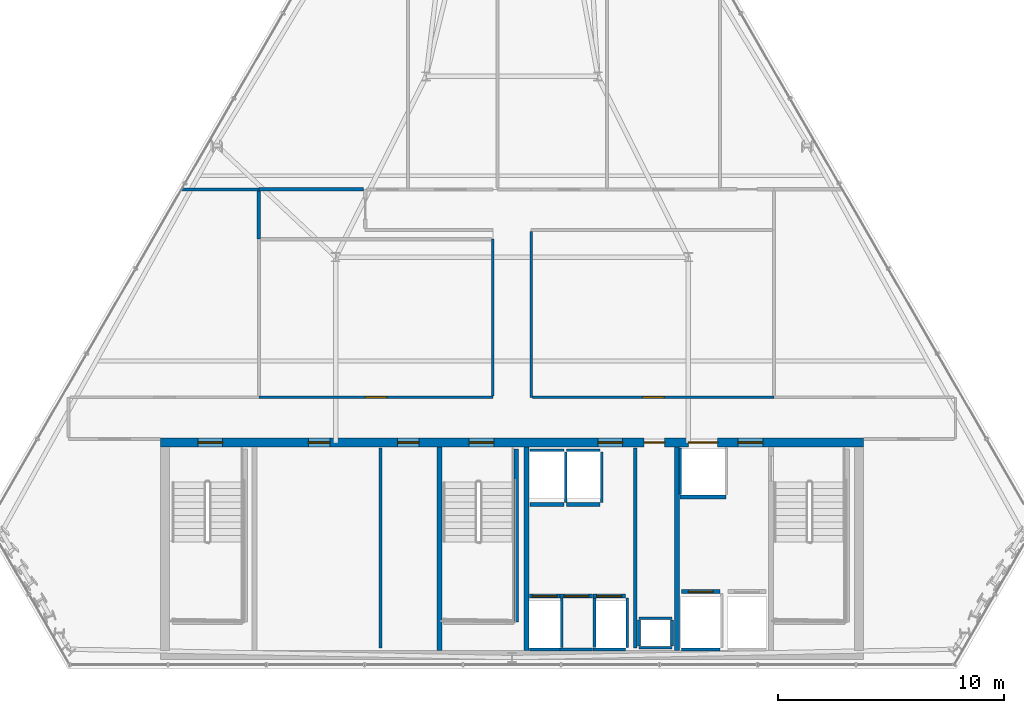
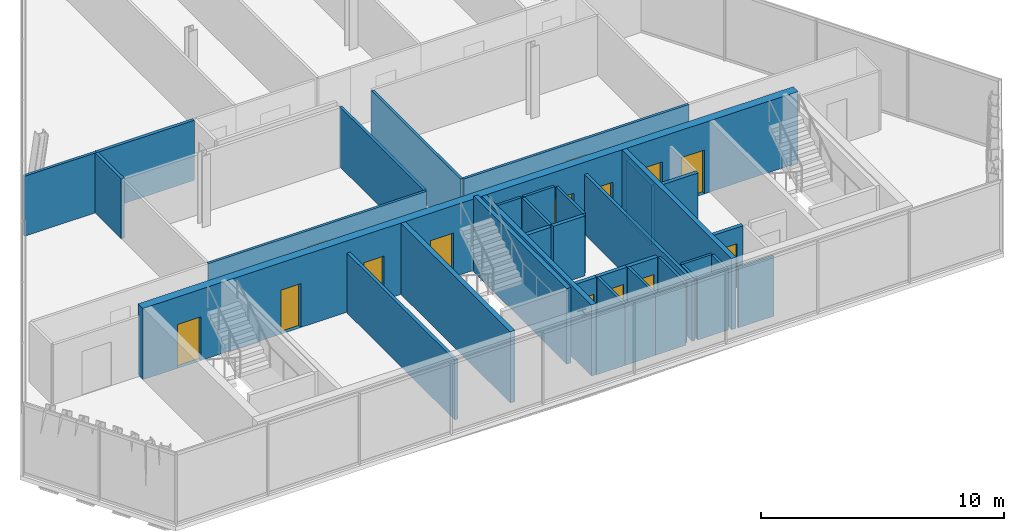
# One storey, part 24 of 29: 37 walls, 14 doors, 14 openings.
"""IFC4 building model written with IfcOpenShell, lengths in metres."""

from ifc_helpers import new_model, si_unit, direction, frame, frame_2d, origin, place, context, subcontext, project, spatial, rectangle, extrude, material, layer, layer_set, type_object, element, fill, save


model = new_model("IFC4")

# Units and contexts
model_context = context("Model", 3, precision=1e-05, world=origin(), true_north=direction((0.0, 1.0)))
body_context = subcontext(model_context, "Body", "Model", "MODEL_VIEW")
ifc_project = project(units=[si_unit("LENGTHUNIT", "METRE"), si_unit("AREAUNIT", "SQUARE_METRE"), si_unit("VOLUMEUNIT", "CUBIC_METRE"), si_unit("PLANEANGLEUNIT", "RADIAN"), si_unit("MASSUNIT", "GRAM", prefix="KILO")], contexts=[model_context])

# Site, building, storey
site_placement = place(None, origin())
site = spatial("IfcSite", under=ifc_project, at=site_placement, CompositionType="ELEMENT")
building_placement = place(site_placement, origin())
building = spatial("IfcBuilding", under=site, at=building_placement, Name="Ndaravel Arena Tower", CompositionType="ELEMENT")
storey_placement = place(building_placement, frame((0.0, 0.0, 237.0)))
storey = spatial("IfcBuildingStorey", under=building, at=storey_placement, Name="L57", CompositionType="ELEMENT", Elevation=237.0)

# Walls
ifc_material_1 = material(Name="Gypsum", Category="gypsum")
ifc_layer_1 = layer(ifc_material_1, 0.14990234375)
ifc_layer_set_1 = layer_set([ifc_layer_1], Name="Gypsum")
wall_type_1 = type_object("IfcWallType", Name="WALL-COMP-150", PredefinedType="PARTITIONING", material=ifc_layer_set_1)
for number, where, z_axis, x_axis, name in (
    (1, (47.449951171875, 5.89990234375, 0.0), (0.0, 0.0, 1.0), (0.0, 1.0, 0.0), "L57 Core Riser Bay Partition"),
    (2, (36.179931640625, 5.89990234375, 0.0), (0.0, 0.0, 1.0), (0.0, 1.0, 0.0), "L57 High-Zone Core Divider 1"),
):
    element("IfcWall", number, at=place(storey_placement, frame(where, z_axis=z_axis, x_axis=x_axis)), inside=storey, type_object=wall_type_1, Name=name, PredefinedType="PARTITIONING", context=body_context, shape_type="SweptSolid", body=[
        extrude(rectangle(XDim=8.85009765625, YDim=0.14990234375, at=frame_2d((4.425048828125, 0.0))), origin(), (0.0, 0.0, 1.0), 3.010498046875),
    ])
ifc_material_2 = material(Name="Concrete C50/60", Category="concrete")
ifc_layer_2 = layer(ifc_material_2, 0.219970703125)
ifc_layer_set_2 = layer_set([ifc_layer_2], Name="Concrete C50/60")
wall_type_2 = type_object("IfcWallType", Name="WALL-CORE-220", PredefinedType="SOLIDWALL", material=ifc_layer_set_2)
for number, where, z_axis, x_axis, name in (
    (3, (38.800048828125, 5.800048828125, 0.0), (0.0, 0.0, 1.0), (0.0, 1.0, 0.0), "L57 Core Web Shear Wall 2"),
    (4, (42.64990234375, 5.800048828125, 0.0), (0.0, 0.0, 1.0), (0.0, 1.0, 0.0), "L57 Core Web Shear Wall 3"),
    (5, (49.300048828125, 5.800048828125, 0.0), (0.0, 0.0, 1.0), (0.0, 1.0, 0.0), "L57 Core Web Shear Wall 4"),
):
    element("IfcWall", number, at=place(storey_placement, frame(where, z_axis=z_axis, x_axis=x_axis)), inside=storey, type_object=wall_type_2, Name=name, PredefinedType="SOLIDWALL", context=body_context, shape_type="SweptSolid", body=[
        extrude(rectangle(XDim=9.0, YDim=0.219970703125, at=frame_2d((4.5, 0.0))), origin(), (0.0, 0.0, 1.0), 3.580078125),
    ])

# Wall, openings, doors
ifc_material_3 = material(Name="Concrete C50/60", Category="concrete")
ifc_layer_3 = layer(ifc_material_3, 0.39990234375)
ifc_layer_set_3 = layer_set([ifc_layer_3], Name="Concrete C50/60")
wall_type_3 = type_object("IfcWallType", Name="WALL-CORE-400", PredefinedType="SOLIDWALL", material=ifc_layer_set_3)
wall_1_placement = place(storey_placement, frame((26.449951171875, 15.0, 0.0), z_axis=(0.0, 0.0, 1.0), x_axis=(1.0, 0.0, 0.0)))
wall_1 = element("IfcWall", 6, at=wall_1_placement, inside=storey, type_object=wall_type_3, Name="L57 Core North Shear Wall", PredefinedType="SOLIDWALL", context=body_context, shape_type="SweptSolid", body=[
    extrude(rectangle(XDim=31.10009765625, YDim=0.39990234375, at=frame_2d((15.550048828125, 0.0))), origin(), (0.0, 0.0, 1.0), 3.580078125),
])
opening_1_placement = place(wall_1_placement, frame((1.64990234375, 0.0, 0.0)))
opening_1 = element("IfcOpeningElement", 7, at=opening_1_placement, cuts=wall_1, Name="Opening FD-01", PredefinedType="OPENING", context=body_context, shape_type="SweptSolid", body=[
    extrude(rectangle(XDim=1.10009765625, YDim=2.199951171875, at=frame_2d((0.550048828125, 1.10009765625))), frame((0.0, 0.199951171875, 0.0), z_axis=(0.0, -1.0, 0.0), x_axis=(1.0, 0.0, 0.0)), (0.0, 0.0, 1.0), 0.39990234375),
])
opening_2_placement = place(wall_1_placement, frame((13.64990234375, 0.0, 0.0)))
opening_2 = element("IfcOpeningElement", 8, at=opening_2_placement, cuts=wall_1, Name="Opening FD-01", PredefinedType="OPENING", context=body_context, shape_type="SweptSolid", body=[
    extrude(rectangle(XDim=1.10009765625, YDim=2.199951171875, at=frame_2d((0.550048828125, 1.10009765625))), frame((0.0, 0.199951171875, 0.0), z_axis=(0.0, -1.0, 0.0), x_axis=(1.0, 0.0, 0.0)), (0.0, 0.0, 1.0), 0.39990234375),
])
opening_3_placement = place(wall_1_placement, frame((25.550048828125, 0.0, 0.0)))
opening_3 = element("IfcOpeningElement", 9, at=opening_3_placement, cuts=wall_1, Name="Opening FD-01", PredefinedType="OPENING", context=body_context, shape_type="SweptSolid", body=[
    extrude(rectangle(XDim=1.10009765625, YDim=2.199951171875, at=frame_2d((0.550048828125, 1.10009765625))), frame((0.0, 0.199951171875, 0.0), z_axis=(0.0, -1.0, 0.0), x_axis=(1.0, 0.0, 0.0)), (0.0, 0.0, 1.0), 0.39990234375),
])
opening_4_placement = place(wall_1_placement, frame((19.35009765625, 0.0, 0.0)))
opening_4 = element("IfcOpeningElement", 10, at=opening_4_placement, cuts=wall_1, Name="Opening FD-01", PredefinedType="OPENING", context=body_context, shape_type="SweptSolid", body=[
    extrude(rectangle(XDim=1.10009765625, YDim=2.199951171875, at=frame_2d((0.550048828125, 1.10009765625))), frame((0.0, 0.199951171875, 0.0), z_axis=(0.0, -1.0, 0.0), x_axis=(1.0, 0.0, 0.0)), (0.0, 0.0, 1.0), 0.39990234375),
])
opening_5_placement = place(wall_1_placement, frame((21.39990234375, 0.0, 0.0)))
opening_5 = element("IfcOpeningElement", 11, at=opening_5_placement, cuts=wall_1, Name="Opening RD-01", PredefinedType="OPENING", context=body_context, shape_type="SweptSolid", body=[
    extrude(rectangle(XDim=0.89990234375, YDim=2.10009765625, at=frame_2d((0.449951171875, 1.050048828125))), frame((0.0, 0.199951171875, 0.0), z_axis=(0.0, -1.0, 0.0), x_axis=(1.0, 0.0, 0.0)), (0.0, 0.0, 1.0), 0.39990234375),
])
opening_6_placement = place(wall_1_placement, frame((6.5400390625, 0.0, 0.0)))
opening_6 = element("IfcOpeningElement", 12, at=opening_6_placement, cuts=wall_1, Name="Opening FD-03", PredefinedType="OPENING", context=body_context, shape_type="SweptSolid", body=[
    extrude(rectangle(XDim=0.949951171875, YDim=2.199951171875, at=frame_2d((0.47509765625, 1.10009765625))), frame((0.0, 0.199951171875, 0.0), z_axis=(0.0, -1.0, 0.0), x_axis=(1.0, 0.0, 0.0)), (0.0, 0.0, 1.0), 0.39990234375),
])
opening_7_placement = place(wall_1_placement, frame((10.489990234375, 0.0, 0.0)))
opening_7 = element("IfcOpeningElement", 13, at=opening_7_placement, cuts=wall_1, Name="Opening FD-03", PredefinedType="OPENING", context=body_context, shape_type="SweptSolid", body=[
    extrude(rectangle(XDim=0.949951171875, YDim=2.199951171875, at=frame_2d((0.47509765625, 1.10009765625))), frame((0.0, 0.199951171875, 0.0), z_axis=(0.0, -1.0, 0.0), x_axis=(1.0, 0.0, 0.0)), (0.0, 0.0, 1.0), 0.39990234375),
])
opening_8_placement = place(wall_1_placement, frame((23.35009765625, 0.0, 0.0)))
opening_8 = element("IfcOpeningElement", 14, at=opening_8_placement, cuts=wall_1, Name="Opening LD-02", PredefinedType="OPENING", context=body_context, shape_type="SweptSolid", body=[
    extrude(rectangle(XDim=1.300048828125, YDim=2.300048828125, at=frame_2d((0.64990234375, 1.14990234375))), frame((0.0, 0.199951171875, 0.0), z_axis=(0.0, -1.0, 0.0), x_axis=(1.0, 0.0, 0.0)), (0.0, 0.0, 1.0), 0.39990234375),
])
ifc_material_4 = material(Name="Steel S355", Category="steel")
door_type_1 = type_object("IfcDoorType", Name="DT-01-STAIR-1100", OperationType="SINGLE_SWING_LEFT", PredefinedType="DOOR", material=ifc_material_4)
door_1_placement = place(opening_1_placement, origin())
door_1 = element("IfcDoor", 15, at=door_1_placement, inside=storey, type_object=door_type_1, Name="L57 Exit Stair ST-1 Door", OperationType="SINGLE_SWING_RIGHT", OverallHeight=2.199951171875, OverallWidth=1.10009765625, PredefinedType="DOOR", context=body_context, shape_type="SweptSolid", body=[
    extrude(rectangle(XDim=1.10009765625, YDim=2.199951171875, at=frame_2d((0.550048828125, 1.10009765625))), frame((0.0, 0.02490234375, 0.0), z_axis=(0.0, -1.0, 0.0), x_axis=(1.0, 0.0, 0.0)), (0.0, 0.0, 1.0), 0.050048828125),
])
fill(opening_1, door_1)
door_2_placement = place(opening_2_placement, origin())
door_2 = element("IfcDoor", 16, at=door_2_placement, inside=storey, type_object=door_type_1, Name="L57 Exit Stair ST-2 Door", OperationType="SINGLE_SWING_LEFT", OverallHeight=2.199951171875, OverallWidth=1.10009765625, PredefinedType="DOOR", context=body_context, shape_type="SweptSolid", body=[
    extrude(rectangle(XDim=1.10009765625, YDim=2.199951171875, at=frame_2d((0.550048828125, 1.10009765625))), frame((0.0, 0.02490234375, 0.0), z_axis=(0.0, -1.0, 0.0), x_axis=(1.0, 0.0, 0.0)), (0.0, 0.0, 1.0), 0.050048828125),
])
fill(opening_2, door_2)
door_3_placement = place(opening_3_placement, origin())
door_3 = element("IfcDoor", 17, at=door_3_placement, inside=storey, type_object=door_type_1, Name="L57 Firefighting Lift Lobby Door", OperationType="SINGLE_SWING_RIGHT", OverallHeight=2.199951171875, OverallWidth=1.10009765625, PredefinedType="DOOR", context=body_context, shape_type="SweptSolid", body=[
    extrude(rectangle(XDim=1.10009765625, YDim=2.199951171875, at=frame_2d((0.550048828125, 1.10009765625))), frame((0.0, 0.02490234375, 0.0), z_axis=(0.0, -1.0, 0.0), x_axis=(1.0, 0.0, 0.0)), (0.0, 0.0, 1.0), 0.050048828125),
])
fill(opening_3, door_3)
door_4_placement = place(opening_4_placement, origin())
door_4 = element("IfcDoor", 18, at=door_4_placement, inside=storey, type_object=door_type_1, Name="L57 Express Lift Lobby Entry Door", OperationType="SINGLE_SWING_LEFT", OverallHeight=2.199951171875, OverallWidth=1.10009765625, PredefinedType="DOOR", context=body_context, shape_type="SweptSolid", body=[
    extrude(rectangle(XDim=1.10009765625, YDim=2.199951171875, at=frame_2d((0.550048828125, 1.10009765625))), frame((0.0, 0.02490234375, 0.0), z_axis=(0.0, -1.0, 0.0), x_axis=(1.0, 0.0, 0.0)), (0.0, 0.0, 1.0), 0.050048828125),
])
fill(opening_4, door_4)
ifc_material_5 = material(Name="Steel S355", Category="steel")
door_type_2 = type_object("IfcDoorType", Name="DT-07-SVLIFT-1300", OperationType="DOUBLE_DOOR_SLIDING", PredefinedType="DOOR", material=ifc_material_5)
door_5_placement = place(opening_8_placement, origin())
door_5 = element("IfcDoor", 19, at=door_5_placement, inside=storey, type_object=door_type_2, Name="L57 Lift SVL-1 Sliding Landing Door", OperationType="DOUBLE_DOOR_SLIDING", OverallHeight=2.300048828125, OverallWidth=1.300048828125, PredefinedType="DOOR", context=body_context, shape_type="SweptSolid", body=[
    extrude(rectangle(XDim=1.300048828125, YDim=2.300048828125, at=frame_2d((0.64990234375, 1.14990234375))), frame((0.0, 0.02490234375, 0.0), z_axis=(0.0, -1.0, 0.0), x_axis=(1.0, 0.0, 0.0)), (0.0, 0.0, 1.0), 0.050048828125),
])
fill(opening_8, door_5)
ifc_material_6 = material(Name="Steel S355", Category="steel")
door_type_3 = type_object("IfcDoorType", Name="DT-08-RISER-900", OperationType="SINGLE_SWING_LEFT", PredefinedType="DOOR", material=ifc_material_6)
door_6_placement = place(opening_5_placement, origin())
door_6 = element("IfcDoor", 20, at=door_6_placement, inside=storey, type_object=door_type_3, Name="L57 Core Service Riser North Door", OperationType="SINGLE_SWING_LEFT", OverallHeight=2.10009765625, OverallWidth=0.89990234375, PredefinedType="DOOR", context=body_context, shape_type="SweptSolid", body=[
    extrude(rectangle(XDim=0.89990234375, YDim=2.10009765625, at=frame_2d((0.449951171875, 1.050048828125))), frame((0.0, 0.02490234375, 0.0), z_axis=(0.0, -1.0, 0.0), x_axis=(1.0, 0.0, 0.0)), (0.0, 0.0, 1.0), 0.050048828125),
])
fill(opening_5, door_6)
ifc_material_7 = material(Name="Steel S355", Category="steel")
door_type_4 = type_object("IfcDoorType", Name="DT-11-CORE-950", OperationType="SINGLE_SWING_LEFT", PredefinedType="DOOR", material=ifc_material_7)
door_7_placement = place(opening_6_placement, origin())
door_7 = element("IfcDoor", 21, at=door_7_placement, inside=storey, type_object=door_type_4, Name="L57 High-Zone Reclaimed Core Room 1 Door", OperationType="SINGLE_SWING_LEFT", OverallHeight=2.199951171875, OverallWidth=0.949951171875, PredefinedType="DOOR", context=body_context, shape_type="SweptSolid", body=[
    extrude(rectangle(XDim=0.949951171875, YDim=2.199951171875, at=frame_2d((0.47509765625, 1.10009765625))), frame((0.0, 0.02490234375, 0.0), z_axis=(0.0, -1.0, 0.0), x_axis=(1.0, 0.0, 0.0)), (0.0, 0.0, 1.0), 0.050048828125),
])
fill(opening_6, door_7)
door_8_placement = place(opening_7_placement, origin())
door_8 = element("IfcDoor", 22, at=door_8_placement, inside=storey, type_object=door_type_4, Name="L57 High-Zone Reclaimed Core Room 2 Door", OperationType="SINGLE_SWING_RIGHT", OverallHeight=2.199951171875, OverallWidth=0.949951171875, PredefinedType="DOOR", context=body_context, shape_type="SweptSolid", body=[
    extrude(rectangle(XDim=0.949951171875, YDim=2.199951171875, at=frame_2d((0.47509765625, 1.10009765625))), frame((0.0, 0.02490234375, 0.0), z_axis=(0.0, -1.0, 0.0), x_axis=(1.0, 0.0, 0.0)), (0.0, 0.0, 1.0), 0.050048828125),
])
fill(opening_7, door_8)

# Wall, opening, door
ifc_material_8 = material(Name="Gypsum", Category="gypsum")
ifc_layer_4 = layer(ifc_material_8, 0.125)
ifc_layer_set_4 = layer_set([ifc_layer_4], Name="Gypsum")
wall_type_4 = type_object("IfcWallType", Name="WALL-PART-125", PredefinedType="PARTITIONING", material=ifc_layer_set_4)
wall_2_placement = place(storey_placement, frame((30.800048828125, 17.0, 0.0), z_axis=(0.0, 0.0, 1.0), x_axis=(1.0, 0.0, 0.0)))
wall_2 = element("IfcWall", 23, at=wall_2_placement, inside=storey, type_object=wall_type_4, Name="L57 Interior Partition 006", PredefinedType="PARTITIONING", context=body_context, shape_type="SweptSolid", body=[
    extrude(rectangle(XDim=10.349853515625, YDim=0.125, at=frame_2d((5.1748046875, 0.0))), origin(), (0.0, 0.0, 1.0), 3.010498046875),
])
opening_9_placement = place(wall_2_placement, frame((4.699951171875, 0.0, 0.0)))
opening_9 = element("IfcOpeningElement", 24, at=opening_9_placement, cuts=wall_2, Name="Opening ID-01", PredefinedType="OPENING", context=body_context, shape_type="SweptSolid", body=[
    extrude(rectangle(XDim=0.949951171875, YDim=2.199951171875, at=frame_2d((0.47509765625, 1.10009765625))), frame((0.0, 0.0625, 0.0), z_axis=(0.0, -1.0, 0.0), x_axis=(1.0, 0.0, 0.0)), (0.0, 0.0, 1.0), 0.125),
])
ifc_material_9 = material(Name="Timber", Category="wood")
door_type_5 = type_object("IfcDoorType", Name="DT-03-OFFICE-950", OperationType="SINGLE_SWING_LEFT", PredefinedType="DOOR", material=ifc_material_9)
door_9_placement = place(opening_9_placement, origin())
door_9 = element("IfcDoor", 25, at=door_9_placement, inside=storey, type_object=door_type_5, Name="L57 Quiet Reading Library Door", OperationType="SINGLE_SWING_RIGHT", OverallHeight=2.199951171875, OverallWidth=0.949951171875, PredefinedType="DOOR", context=body_context, shape_type="SweptSolid", body=[
    extrude(rectangle(XDim=0.949951171875, YDim=2.199951171875, at=frame_2d((0.47509765625, 1.10009765625))), frame((0.0, 0.02490234375, 0.0), z_axis=(0.0, -1.0, 0.0), x_axis=(1.0, 0.0, 0.0)), (0.0, 0.0, 1.0), 0.050048828125),
])
fill(opening_9, door_9)

# Walls
wall_3_placement = place(storey_placement, frame((41.14990234375, 17.06494140625, 0.0), z_axis=(0.0, 0.0, 1.0), x_axis=(0.0, 1.0, 0.0)))
element("IfcWall", 26, at=wall_3_placement, inside=storey, type_object=wall_type_4, Name="L57 Interior Partition 007", PredefinedType="PARTITIONING", context=body_context, shape_type="SweptSolid", body=[
    extrude(rectangle(XDim=6.927001953125, YDim=0.125, at=frame_2d((3.46337890625, 0.0))), origin(), (0.0, 0.0, 1.0), 3.010498046875),
])
wall_4_placement = place(storey_placement, frame((42.85009765625, 24.3349609375, 0.0), z_axis=(0.0, 0.0, 1.0), x_axis=(0.0, -1.0, 0.0)))
element("IfcWall", 27, at=wall_4_placement, inside=storey, type_object=wall_type_4, Name="L57 Interior Partition 018", PredefinedType="PARTITIONING", context=body_context, shape_type="SweptSolid", body=[
    extrude(rectangle(XDim=7.3349609375, YDim=0.125, at=frame_2d((3.66748046875, 0.0))), origin(), (0.0, 0.0, 1.0), 3.010498046875),
])

# Wall, opening, door
wall_5_placement = place(storey_placement, frame((42.9150390625, 17.0, 0.0), z_axis=(0.0, 0.0, 1.0), x_axis=(1.0, 0.0, 0.0)))
wall_5 = element("IfcWall", 28, at=wall_5_placement, inside=storey, type_object=wall_type_4, Name="L57 Interior Partition 019", PredefinedType="PARTITIONING", context=body_context, shape_type="SweptSolid", body=[
    extrude(rectangle(XDim=10.68505859375, YDim=0.125, at=frame_2d((5.342529296875, 0.0))), origin(), (0.0, 0.0, 1.0), 3.010498046875),
])
opening_10_placement = place(wall_5_placement, frame((4.867431640625, 0.0, 0.0)))
opening_10 = element("IfcOpeningElement", 29, at=opening_10_placement, cuts=wall_5, Name="Opening ID-01", PredefinedType="OPENING", context=body_context, shape_type="SweptSolid", body=[
    extrude(rectangle(XDim=0.949951171875, YDim=2.199951171875, at=frame_2d((0.47509765625, 1.10009765625))), frame((0.0, 0.0625, 0.0), z_axis=(0.0, -1.0, 0.0), x_axis=(1.0, 0.0, 0.0)), (0.0, 0.0, 1.0), 0.125),
])
door_10_placement = place(opening_10_placement, origin())
door_10 = element("IfcDoor", 30, at=door_10_placement, inside=storey, type_object=door_type_5, Name="L57 Design Bookshop Boutique Door", OperationType="SINGLE_SWING_LEFT", OverallHeight=2.199951171875, OverallWidth=0.949951171875, PredefinedType="DOOR", context=body_context, shape_type="SweptSolid", body=[
    extrude(rectangle(XDim=0.949951171875, YDim=2.199951171875, at=frame_2d((0.47509765625, 1.10009765625))), frame((0.0, 0.02490234375, 0.0), z_axis=(0.0, -1.0, 0.0), x_axis=(1.0, 0.0, 0.0)), (0.0, 0.0, 1.0), 0.050048828125),
])
fill(opening_10, door_10)

# Walls
wall_6_placement = place(storey_placement, frame((27.37939453125, 26.199951171875, 0.0), z_axis=(0.0, 0.0, 1.0), x_axis=(1.0, 0.0, 0.0)))
element("IfcWall", 31, at=wall_6_placement, inside=storey, type_object=wall_type_4, Name="L57 Interior Partition 025", PredefinedType="PARTITIONING", context=body_context, shape_type="SweptSolid", body=[
    extrude(rectangle(XDim=3.420654296875, YDim=0.125, at=frame_2d((1.71044921875, 0.0))), origin(), (0.0, 0.0, 1.0), 3.010498046875),
])
ifc_material_10 = material(Name="Concrete C40/50", Category="concrete")
ifc_layer_5 = layer(ifc_material_10, 0.1201171875)
ifc_layer_set_5 = layer_set([ifc_layer_5], Name="Concrete C40/50")
wall_type_5 = type_object("IfcWallType", Name="WALL-SHAFT-120", PredefinedType="SOLIDWALL", material=ifc_layer_set_5)
for number, where, z_axis, x_axis, name in (
    (32, (47.6201171875, 5.919921875, 0.0), (0.0, 0.0, 1.0), (1.0, 0.0, 0.0), "L57 MEP Riser Shaft S Wall"),
    (33, (47.6201171875, 7.219970703125, 0.0), (0.0, 0.0, 1.0), (1.0, 0.0, 0.0), "L57 MEP Riser Shaft N Wall"),
):
    element("IfcWall", number, at=place(storey_placement, frame(where, z_axis=z_axis, x_axis=x_axis)), inside=storey, type_object=wall_type_5, Name=name, PredefinedType="SOLIDWALL", context=body_context, shape_type="SweptSolid", body=[
        extrude(rectangle(XDim=1.4599609375, YDim=0.1201171875, at=frame_2d((0.72998046875, 0.0))), origin(), (0.0, 0.0, 1.0), 3.010498046875),
    ])
for number, where, z_axis, x_axis, name in (
    (34, (47.6201171875, 6.0, 0.0), (0.0, 0.0, 1.0), (0.0, 1.0, 0.0), "L57 MEP Riser Shaft W Wall"),
    (35, (49.080078125, 6.0, 0.0), (0.0, 0.0, 1.0), (0.0, 1.0, 0.0), "L57 MEP Riser Shaft E Wall"),
):
    element("IfcWall", number, at=place(storey_placement, frame(where, z_axis=z_axis, x_axis=x_axis)), inside=storey, type_object=wall_type_5, Name=name, PredefinedType="SOLIDWALL", context=body_context, shape_type="SweptSolid", body=[
        extrude(rectangle(XDim=1.139892578125, YDim=0.1201171875, at=frame_2d((0.56982421875, 0.0))), origin(), (0.0, 0.0, 1.0), 3.010498046875),
    ])
wall_7_placement = place(storey_placement, frame((42.780029296875, 5.840087890625, 0.0), z_axis=(0.0, 0.0, 1.0), x_axis=(1.0, 0.0, 0.0)))
element("IfcWall", 36, at=wall_7_placement, inside=storey, type_object=wall_type_5, Name="L57 PL-H1 Shaft Rear Wall", PredefinedType="SOLIDWALL", context=body_context, shape_type="SweptSolid", body=[
    extrude(rectangle(XDim=1.340087890625, YDim=0.1201171875, at=frame_2d((0.669921875, 0.0))), origin(), (0.0, 0.0, 1.0), 3.010498046875),
])
wall_8_placement = place(storey_placement, frame((44.199951171875, 5.929931640625, 0.0), z_axis=(0.0, 0.0, 1.0), x_axis=(0.0, 1.0, 0.0)))
element("IfcWall", 37, at=wall_8_placement, inside=storey, type_object=wall_type_5, Name="L57 PL-H1 Shaft Side R Wall", PredefinedType="SOLIDWALL", context=body_context, shape_type="SweptSolid", body=[
    extrude(rectangle(XDim=2.18017578125, YDim=0.1201171875, at=frame_2d((1.090087890625, 0.0))), origin(), (0.0, 0.0, 1.0), 3.010498046875),
])
wall_9_placement = place(storey_placement, frame((44.1298828125, 5.840087890625, 0.0), z_axis=(0.0, 0.0, 1.0), x_axis=(1.0, 0.0, 0.0)))
element("IfcWall", 38, at=wall_9_placement, inside=storey, type_object=wall_type_5, Name="L57 PL-H2 Shaft Rear Wall", PredefinedType="SOLIDWALL", context=body_context, shape_type="SweptSolid", body=[
    extrude(rectangle(XDim=1.440185546875, YDim=0.1201171875, at=frame_2d((0.72021484375, 0.0))), origin(), (0.0, 0.0, 1.0), 3.010498046875),
])
wall_10_placement = place(storey_placement, frame((45.64990234375, 5.929931640625, 0.0), z_axis=(0.0, 0.0, 1.0), x_axis=(0.0, 1.0, 0.0)))
element("IfcWall", 39, at=wall_10_placement, inside=storey, type_object=wall_type_5, Name="L57 PL-H2 Shaft Side R Wall", PredefinedType="SOLIDWALL", context=body_context, shape_type="SweptSolid", body=[
    extrude(rectangle(XDim=2.18017578125, YDim=0.1201171875, at=frame_2d((1.090087890625, 0.0))), origin(), (0.0, 0.0, 1.0), 3.010498046875),
])
wall_11_placement = place(storey_placement, frame((45.580078125, 5.840087890625, 0.0), z_axis=(0.0, 0.0, 1.0), x_axis=(1.0, 0.0, 0.0)))
element("IfcWall", 40, at=wall_11_placement, inside=storey, type_object=wall_type_5, Name="L57 PL-H3 Shaft Rear Wall", PredefinedType="SOLIDWALL", context=body_context, shape_type="SweptSolid", body=[
    extrude(rectangle(XDim=1.43994140625, YDim=0.1201171875, at=frame_2d((0.719970703125, 0.0))), origin(), (0.0, 0.0, 1.0), 3.010498046875),
])
wall_12_placement = place(storey_placement, frame((47.10009765625, 5.929931640625, 0.0), z_axis=(0.0, 0.0, 1.0), x_axis=(0.0, 1.0, 0.0)))
element("IfcWall", 41, at=wall_12_placement, inside=storey, type_object=wall_type_5, Name="L57 PL-H3 Shaft Side R Wall", PredefinedType="SOLIDWALL", context=body_context, shape_type="SweptSolid", body=[
    extrude(rectangle(XDim=2.18017578125, YDim=0.1201171875, at=frame_2d((1.090087890625, 0.0))), origin(), (0.0, 0.0, 1.0), 3.010498046875),
])
wall_13_placement = place(storey_placement, frame((42.804931640625, 14.659912109375, 0.0), z_axis=(0.0, 0.0, 1.0), x_axis=(1.0, 0.0, 0.0)))
element("IfcWall", 42, at=wall_13_placement, inside=storey, type_object=wall_type_5, Name="L57 PL-OBS1 Shaft Rear Wall", PredefinedType="SOLIDWALL", context=body_context, shape_type="SweptSolid", body=[
    extrude(rectangle(XDim=1.489990234375, YDim=0.1201171875, at=frame_2d((0.7451171875, 0.0))), origin(), (0.0, 0.0, 1.0), 3.010498046875),
])
wall_14_placement = place(storey_placement, frame((44.375, 12.340087890625, 0.0), z_axis=(0.0, 0.0, 1.0), x_axis=(0.0, 1.0, 0.0)))
element("IfcWall", 43, at=wall_14_placement, inside=storey, type_object=wall_type_5, Name="L57 PL-OBS1 Shaft Side R Wall", PredefinedType="SOLIDWALL", context=body_context, shape_type="SweptSolid", body=[
    extrude(rectangle(XDim=2.22998046875, YDim=0.1201171875, at=frame_2d((1.114990234375, 0.0))), origin(), (0.0, 0.0, 1.0), 3.010498046875),
])
wall_15_placement = place(storey_placement, frame((44.405029296875, 14.659912109375, 0.0), z_axis=(0.0, 0.0, 1.0), x_axis=(1.0, 0.0, 0.0)))
element("IfcWall", 44, at=wall_15_placement, inside=storey, type_object=wall_type_5, Name="L57 PL-OBS2 Shaft Rear Wall", PredefinedType="SOLIDWALL", context=body_context, shape_type="SweptSolid", body=[
    extrude(rectangle(XDim=1.489990234375, YDim=0.1201171875, at=frame_2d((0.7451171875, 0.0))), origin(), (0.0, 0.0, 1.0), 3.010498046875),
])
wall_16_placement = place(storey_placement, frame((45.97509765625, 12.340087890625, 0.0), z_axis=(0.0, 0.0, 1.0), x_axis=(0.0, 1.0, 0.0)))
element("IfcWall", 45, at=wall_16_placement, inside=storey, type_object=wall_type_5, Name="L57 PL-OBS2 Shaft Side R Wall", PredefinedType="SOLIDWALL", context=body_context, shape_type="SweptSolid", body=[
    extrude(rectangle(XDim=2.22998046875, YDim=0.1201171875, at=frame_2d((1.114990234375, 0.0))), origin(), (0.0, 0.0, 1.0), 3.010498046875),
])
wall_17_placement = place(storey_placement, frame((49.5048828125, 5.840087890625, 0.0), z_axis=(0.0, 0.0, 1.0), x_axis=(1.0, 0.0, 0.0)))
element("IfcWall", 46, at=wall_17_placement, inside=storey, type_object=wall_type_5, Name="L57 FFL-1 Shaft Rear Wall", PredefinedType="SOLIDWALL", context=body_context, shape_type="SweptSolid", body=[
    extrude(rectangle(XDim=1.690185546875, YDim=0.1201171875, at=frame_2d((0.84521484375, 0.0))), origin(), (0.0, 0.0, 1.0), 3.010498046875),
])
wall_18_placement = place(storey_placement, frame((49.43994140625, 12.68994140625, 0.0), z_axis=(0.0, 0.0, 1.0), x_axis=(0.0, 1.0, 0.0)))
element("IfcWall", 47, at=wall_18_placement, inside=storey, type_object=wall_type_5, Name="L57 SVL-1 Shaft W Wall", PredefinedType="SOLIDWALL", context=body_context, shape_type="SweptSolid", body=[
    extrude(rectangle(XDim=2.070068359375, YDim=0.1201171875, at=frame_2d((1.03515625, 0.0))), origin(), (0.0, 0.0, 1.0), 3.010498046875),
])
ifc_material_11 = material(Name="Concrete C40/50", Category="concrete")
ifc_layer_6 = layer(ifc_material_11, 0.199951171875)
ifc_layer_set_6 = layer_set([ifc_layer_6], Name="Concrete C40/50")
wall_type_6 = type_object("IfcWallType", Name="WALL-SHAFT-200", PredefinedType="SOLIDWALL", material=ifc_layer_set_6)
wall_19_placement = place(storey_placement, frame((42.18994140625, 14.699951171875, 0.0), z_axis=(0.0, 0.0, 1.0), x_axis=(0.0, -1.0, 0.0)))
element("IfcWall", 48, at=wall_19_placement, inside=storey, type_object=wall_type_6, Name="L57 ST-2 Structural Shaft Wall Right", PredefinedType="SOLIDWALL", context=body_context, shape_type="SweptSolid", body=[
    extrude(rectangle(XDim=7.64990234375, YDim=0.199951171875, at=frame_2d((3.824951171875, 0.0))), origin(), (0.0, 0.0, 1.0), 3.800048828125),
])

# Wall, opening, door
wall_20_placement = place(storey_placement, frame((42.780029296875, 8.199951171875, 0.0), z_axis=(0.0, 0.0, 1.0), x_axis=(1.0, 0.0, 0.0)))
wall_20 = element("IfcWall", 49, at=wall_20_placement, inside=storey, type_object=wall_type_6, Name="L57 PL-H1 Shaft Landing Wall", PredefinedType="SOLIDWALL", context=body_context, shape_type="SweptSolid", body=[
    extrude(rectangle(XDim=1.340087890625, YDim=0.179931640625, at=frame_2d((0.669921875, 0.0))), origin(), (0.0, 0.0, 1.0), 3.010498046875),
])
opening_11_placement = place(wall_20_placement, frame((0.1201171875, 0.0, 0.0)))
opening_11 = element("IfcOpeningElement", 50, at=opening_11_placement, cuts=wall_20, Name="Opening LD-01", PredefinedType="OPENING", context=body_context, shape_type="SweptSolid", body=[
    extrude(rectangle(XDim=1.10009765625, YDim=2.199951171875, at=frame_2d((0.550048828125, 1.10009765625))), frame((0.0, 0.08984375, 0.0), z_axis=(0.0, -1.0, 0.0), x_axis=(1.0, 0.0, 0.0)), (0.0, 0.0, 1.0), 0.179931640625),
])
ifc_material_12 = material(Name="Steel S355", Category="steel")
door_type_6 = type_object("IfcDoorType", Name="DT-06-LIFT-1100", OperationType="SLIDING_TO_LEFT", PredefinedType="DOOR", material=ifc_material_12)
door_11_placement = place(opening_11_placement, origin())
door_11 = element("IfcDoor", 51, at=door_11_placement, inside=storey, type_object=door_type_6, Name="L57 Lift PL-H1 Sliding Landing Door", OperationType="SLIDING_TO_LEFT", OverallHeight=2.199951171875, OverallWidth=1.10009765625, PredefinedType="DOOR", context=body_context, shape_type="SweptSolid", body=[
    extrude(rectangle(XDim=1.10009765625, YDim=2.199951171875, at=frame_2d((0.550048828125, 1.10009765625))), frame((0.0, 0.02490234375, 0.0), z_axis=(0.0, -1.0, 0.0), x_axis=(1.0, 0.0, 0.0)), (0.0, 0.0, 1.0), 0.050048828125),
])
fill(opening_11, door_11)

wall_21_placement = place(storey_placement, frame((44.1298828125, 8.199951171875, 0.0), z_axis=(0.0, 0.0, 1.0), x_axis=(1.0, 0.0, 0.0)))
wall_21 = element("IfcWall", 52, at=wall_21_placement, inside=storey, type_object=wall_type_6, Name="L57 PL-H2 Shaft Landing Wall", PredefinedType="SOLIDWALL", context=body_context, shape_type="SweptSolid", body=[
    extrude(rectangle(XDim=1.440185546875, YDim=0.179931640625, at=frame_2d((0.72021484375, 0.0))), origin(), (0.0, 0.0, 1.0), 3.010498046875),
])
opening_12_placement = place(wall_21_placement, frame((0.169921875, 0.0, 0.0)))
opening_12 = element("IfcOpeningElement", 53, at=opening_12_placement, cuts=wall_21, Name="Opening LD-01", PredefinedType="OPENING", context=body_context, shape_type="SweptSolid", body=[
    extrude(rectangle(XDim=1.10009765625, YDim=2.199951171875, at=frame_2d((0.550048828125, 1.10009765625))), frame((0.0, 0.08984375, 0.0), z_axis=(0.0, -1.0, 0.0), x_axis=(1.0, 0.0, 0.0)), (0.0, 0.0, 1.0), 0.179931640625),
])
door_12_placement = place(opening_12_placement, origin())
door_12 = element("IfcDoor", 54, at=door_12_placement, inside=storey, type_object=door_type_6, Name="L57 Lift PL-H2 Sliding Landing Door", OperationType="SLIDING_TO_LEFT", OverallHeight=2.199951171875, OverallWidth=1.10009765625, PredefinedType="DOOR", context=body_context, shape_type="SweptSolid", body=[
    extrude(rectangle(XDim=1.10009765625, YDim=2.199951171875, at=frame_2d((0.550048828125, 1.10009765625))), frame((0.0, 0.02490234375, 0.0), z_axis=(0.0, -1.0, 0.0), x_axis=(1.0, 0.0, 0.0)), (0.0, 0.0, 1.0), 0.050048828125),
])
fill(opening_12, door_12)

wall_22_placement = place(storey_placement, frame((45.580078125, 8.199951171875, 0.0), z_axis=(0.0, 0.0, 1.0), x_axis=(1.0, 0.0, 0.0)))
wall_22 = element("IfcWall", 55, at=wall_22_placement, inside=storey, type_object=wall_type_6, Name="L57 PL-H3 Shaft Landing Wall", PredefinedType="SOLIDWALL", context=body_context, shape_type="SweptSolid", body=[
    extrude(rectangle(XDim=1.43994140625, YDim=0.179931640625, at=frame_2d((0.719970703125, 0.0))), origin(), (0.0, 0.0, 1.0), 3.010498046875),
])
opening_13_placement = place(wall_22_placement, frame((0.169921875, 0.0, 0.0)))
opening_13 = element("IfcOpeningElement", 56, at=opening_13_placement, cuts=wall_22, Name="Opening LD-01", PredefinedType="OPENING", context=body_context, shape_type="SweptSolid", body=[
    extrude(rectangle(XDim=1.10009765625, YDim=2.199951171875, at=frame_2d((0.550048828125, 1.10009765625))), frame((0.0, 0.08984375, 0.0), z_axis=(0.0, -1.0, 0.0), x_axis=(1.0, 0.0, 0.0)), (0.0, 0.0, 1.0), 0.179931640625),
])
door_13_placement = place(opening_13_placement, origin())
door_13 = element("IfcDoor", 57, at=door_13_placement, inside=storey, type_object=door_type_6, Name="L57 Lift PL-H3 Sliding Landing Door", OperationType="SLIDING_TO_LEFT", OverallHeight=2.199951171875, OverallWidth=1.10009765625, PredefinedType="DOOR", context=body_context, shape_type="SweptSolid", body=[
    extrude(rectangle(XDim=1.10009765625, YDim=2.199951171875, at=frame_2d((0.550048828125, 1.10009765625))), frame((0.0, 0.02490234375, 0.0), z_axis=(0.0, -1.0, 0.0), x_axis=(1.0, 0.0, 0.0)), (0.0, 0.0, 1.0), 0.050048828125),
])
fill(opening_13, door_13)

# Walls
for number, where, z_axis, x_axis, name in (
    (58, (42.804931640625, 12.25, 0.0), (0.0, 0.0, 1.0), (1.0, 0.0, 0.0), "L57 PL-OBS1 Shaft Landing Wall"),
    (59, (44.405029296875, 12.25, 0.0), (0.0, 0.0, 1.0), (1.0, 0.0, 0.0), "L57 PL-OBS2 Shaft Landing Wall"),
):
    element("IfcWall", number, at=place(storey_placement, frame(where, z_axis=z_axis, x_axis=x_axis)), inside=storey, type_object=wall_type_6, Name=name, PredefinedType="SOLIDWALL", context=body_context, shape_type="SweptSolid", body=[
        extrude(rectangle(XDim=1.489990234375, YDim=0.179931640625, at=frame_2d((0.7451171875, 0.0))), origin(), (0.0, 0.0, 1.0), 3.010498046875),
    ])

# Wall, opening, door
wall_23_placement = place(storey_placement, frame((49.5048828125, 8.39990234375, 0.0), z_axis=(0.0, 0.0, 1.0), x_axis=(1.0, 0.0, 0.0)))
wall_23 = element("IfcWall", 60, at=wall_23_placement, inside=storey, type_object=wall_type_6, Name="L57 FFL-1 Shaft Landing Wall", PredefinedType="SOLIDWALL", context=body_context, shape_type="SweptSolid", body=[
    extrude(rectangle(XDim=1.690185546875, YDim=0.179931640625, at=frame_2d((0.84521484375, 0.0))), origin(), (0.0, 0.0, 1.0), 3.010498046875),
])
opening_14_placement = place(wall_23_placement, frame((0.294921875, 0.0, 0.0)))
opening_14 = element("IfcOpeningElement", 61, at=opening_14_placement, cuts=wall_23, Name="Opening LD-01", PredefinedType="OPENING", context=body_context, shape_type="SweptSolid", body=[
    extrude(rectangle(XDim=1.10009765625, YDim=2.199951171875, at=frame_2d((0.550048828125, 1.10009765625))), frame((0.0, 0.08984375, 0.0), z_axis=(0.0, -1.0, 0.0), x_axis=(1.0, 0.0, 0.0)), (0.0, 0.0, 1.0), 0.179931640625),
])
door_14_placement = place(opening_14_placement, origin())
door_14 = element("IfcDoor", 62, at=door_14_placement, inside=storey, type_object=door_type_6, Name="L57 Lift FFL-1 Sliding Landing Door", OperationType="SLIDING_TO_LEFT", OverallHeight=2.199951171875, OverallWidth=1.10009765625, PredefinedType="DOOR", context=body_context, shape_type="SweptSolid", body=[
    extrude(rectangle(XDim=1.10009765625, YDim=2.199951171875, at=frame_2d((0.550048828125, 1.10009765625))), frame((0.0, 0.02490234375, 0.0), z_axis=(0.0, -1.0, 0.0), x_axis=(1.0, 0.0, 0.0)), (0.0, 0.0, 1.0), 0.050048828125),
])
fill(opening_14, door_14)

# Walls
wall_24_placement = place(storey_placement, frame((49.43994140625, 12.594970703125, 0.0), z_axis=(0.0, 0.0, 1.0), x_axis=(1.0, 0.0, 0.0)))
element("IfcWall", 63, at=wall_24_placement, inside=storey, type_object=wall_type_6, Name="L57 SVL-1 Shaft South Wall", PredefinedType="SOLIDWALL", context=body_context, shape_type="SweptSolid", body=[
    extrude(rectangle(XDim=2.0400390625, YDim=0.179931640625, at=frame_2d((1.02001953125, 0.0))), origin(), (0.0, 0.0, 1.0), 3.010498046875),
])
ifc_material_13 = material(Name="Masonry", Category="masonry")
ifc_layer_7 = layer(ifc_material_13, 0.14990234375)
ifc_layer_set_7 = layer_set([ifc_layer_7], Name="Masonry")
wall_type_7 = type_object("IfcWallType", Name="WALL-WET-150", PredefinedType="PARTITIONING", material=ifc_layer_set_7)
wall_25_placement = place(storey_placement, frame((30.800048828125, 26.135009765625, 0.0), z_axis=(0.0, 0.0, 1.0), x_axis=(0.0, -1.0, 0.0)))
element("IfcWall", 64, at=wall_25_placement, inside=storey, type_object=wall_type_7, Name="L57 Interior Partition 026", PredefinedType="PARTITIONING", context=body_context, shape_type="SweptSolid", body=[
    extrude(rectangle(XDim=2.14306640625, YDim=0.14990234375, at=frame_2d((1.071533203125, 0.0))), origin(), (0.0, 0.0, 1.0), 3.010498046875),
])
wall_26_placement = place(storey_placement, frame((30.800048828125, 26.199951171875, 0.0), z_axis=(0.0, 0.0, 1.0), x_axis=(1.0, 0.0, 0.0)))
element("IfcWall", 65, at=wall_26_placement, inside=storey, type_object=wall_type_7, Name="L57 Interior Partition 027", PredefinedType="PARTITIONING", context=body_context, shape_type="SweptSolid", body=[
    extrude(rectangle(XDim=4.635009765625, YDim=0.14990234375, at=frame_2d((2.3173828125, 0.0))), origin(), (0.0, 0.0, 1.0), 3.010498046875),
])

save(model, "model.ifc")
